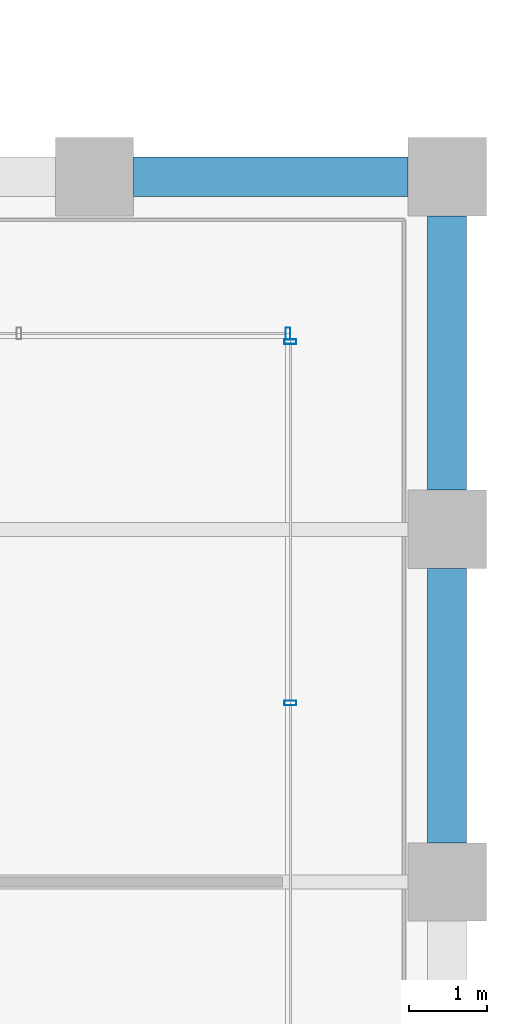
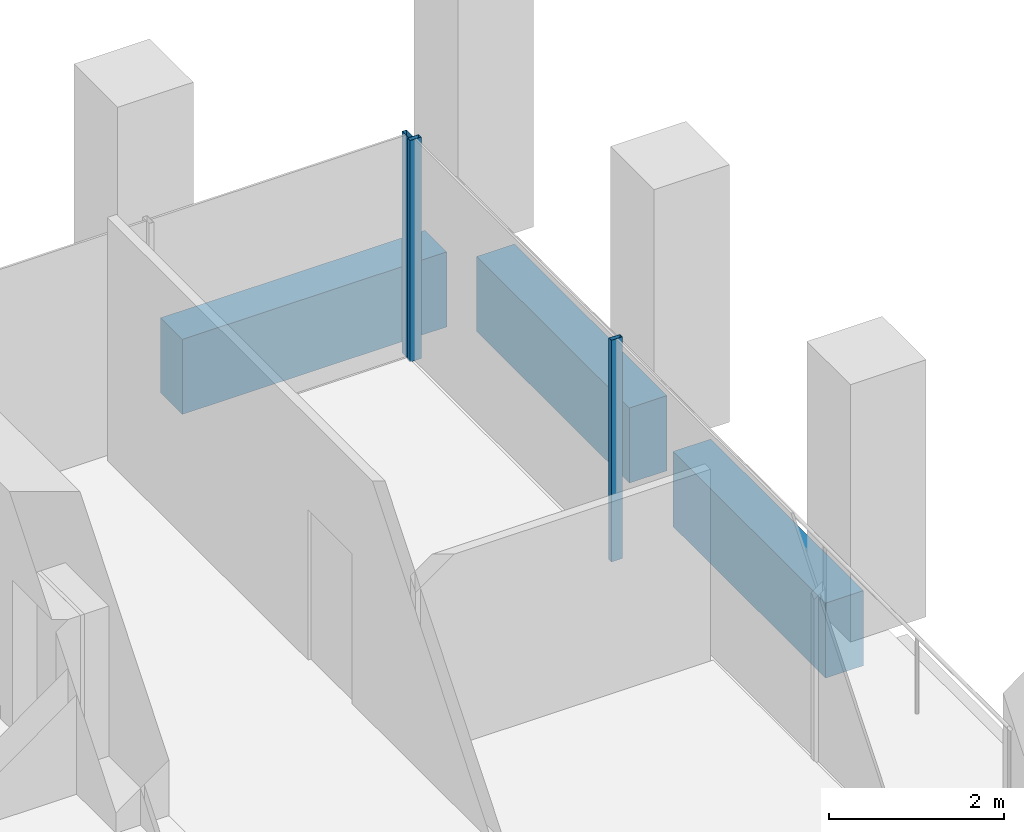
# One storey, part 38 of 46: 3 beams, 3 members, 2 elements without a shape of their own.
"""IFC4 building model written with IfcOpenShell, lengths in metres."""

from ifc_helpers import new_model, si_unit, direction, frame, origin, origin_2d, place, context, subcontext, project, spatial, rectangle, hollow_rectangle, extrude, material, material_profile, profile_set, type_object, element, aggregate, save


model = new_model("IFC4")

# Units and contexts
model_context = context("Model", 3, precision=1e-05, world=origin(), true_north=direction((0.0, 1.0)))
body_context = subcontext(model_context, "Body", "Model", "MODEL_VIEW")
ifc_project = project(units=[si_unit("LENGTHUNIT", "METRE"), si_unit("AREAUNIT", "SQUARE_METRE"), si_unit("VOLUMEUNIT", "CUBIC_METRE"), si_unit("PLANEANGLEUNIT", "RADIAN"), si_unit("MASSUNIT", "GRAM", prefix="KILO")], contexts=[model_context])

# Site, building, storey
site_placement = place(None, origin())
site = spatial("IfcSite", under=ifc_project, at=site_placement, CompositionType="ELEMENT")
building_placement = place(site_placement, origin())
building = spatial("IfcBuilding", under=site, at=building_placement, Name="Altepetl Exchange Towers", CompositionType="ELEMENT")
storey_placement = place(building_placement, frame((0.0, 0.0, 135.199951171875)))
storey = spatial("IfcBuildingStorey", under=building, at=storey_placement, Name="L33", CompositionType="ELEMENT", Elevation=135.199951171875)

# Curtain wall, members
ifc_material_1 = material(Name="Aluminium 6063-T6 glazing", Category="aluminium")
curtain_wall_type = type_object("IfcCurtainWallType", Name="Loggia glazing system", PredefinedType="NOTDEFINED", material=ifc_material_1)
curtain_wall_1_placement = place(storey_placement, origin())
curtain_wall_1 = element("IfcCurtainWall", 1, at=curtain_wall_1_placement, inside=storey, type_object=curtain_wall_type, Name="CW1 run", PredefinedType="NOTDEFINED")
ifc_material_2 = material(Name="Aluminium 6063-T6", Category="aluminium")
ifc_material_profile_1 = material_profile(ifc_material_2, hollow_rectangle(XDim=0.06005859375, YDim=0.14990234375, WallThickness=0.0029296875, at=origin_2d()), Name="Mullion 60x150 aluminium")
ifc_profile_set_1 = profile_set([ifc_material_profile_1], Name="Aluminium 6063-T6")
member_type = type_object("IfcMemberType", Name="Mullion 60x150 aluminium", PredefinedType="MULLION", material=ifc_profile_set_1)
member_1_placement = place(storey_placement, frame((124.0, 42.783447265625, 0.0), z_axis=(0.0, 0.0, 1.0), x_axis=(0.0, 1.0, 0.0)))
member_1 = element("IfcMember", 2, at=member_1_placement, type_object=member_type, Name="MU1 mullion", PredefinedType="MULLION", context=body_context, shape_type="SweptSolid", body=[
    extrude(hollow_rectangle(XDim=0.06005859375, YDim=0.14990234375, WallThickness=0.0029296875, at=origin_2d()), origin(), (0.0, 0.0, 1.0), 3.10009765625),
])
member_2_placement = place(storey_placement, frame((124.0, 47.39501953125, 0.0), z_axis=(0.0, 0.0, 1.0), x_axis=(0.0, 1.0, 0.0)))
member_2 = element("IfcMember", 3, at=member_2_placement, type_object=member_type, Name="MU1 mullion", PredefinedType="MULLION", context=body_context, shape_type="SweptSolid", body=[
    extrude(hollow_rectangle(XDim=0.06005859375, YDim=0.14990234375, WallThickness=0.0029296875, at=origin_2d()), origin(), (0.0, 0.0, 1.0), 3.10009765625),
])
aggregate(curtain_wall_1, [member_1, member_2])

# Curtain wall, member
curtain_wall_2_placement = place(storey_placement, origin())
curtain_wall_2 = element("IfcCurtainWall", 4, at=curtain_wall_2_placement, inside=storey, type_object=curtain_wall_type, Name="CW1 run", PredefinedType="NOTDEFINED")
member_3_placement = place(storey_placement, frame((123.969970703125, 47.5, 0.0), z_axis=(0.0, 0.0, 1.0), x_axis=(-1.0, 0.0, 0.0)))
member_3 = element("IfcMember", 5, at=member_3_placement, type_object=member_type, Name="MU1 mullion", PredefinedType="MULLION", context=body_context, shape_type="SweptSolid", body=[
    extrude(hollow_rectangle(XDim=0.06005859375, YDim=0.14990234375, WallThickness=0.0029296875, at=origin_2d()), origin(), (0.0, 0.0, 1.0), 3.10009765625),
])
aggregate(curtain_wall_2, [member_3])

# Beams
ifc_material_3 = material(Name="Concrete C50/60 precast with cantera amarilla facing", Category="concrete")
ifc_material_profile_2 = material_profile(ifc_material_3, rectangle(XDim=0.5, YDim=1.050048828125, at=origin_2d()), Name="500 x 1050")
ifc_profile_set_2 = profile_set([ifc_material_profile_2], Name="Concrete C50/60 precast with cantera amarilla facing")
beam_type_1 = type_object("IfcBeamType", Name="Spandrel beam 500x1050 cantera amarilla", PredefinedType="SPANDREL", material=ifc_profile_set_2)
beam_placement = place(storey_placement, frame((125.5, 49.5, -0.675048828125), z_axis=(-1.0, 0.0, 0.0), x_axis=(0.0, -1.0, 0.0)))
element("IfcBeam", 6, at=beam_placement, inside=storey, type_object=beam_type_1, Name="sp:B:L33:013", PredefinedType="SPANDREL", context=body_context, shape_type="SweptSolid", body=[
    extrude(rectangle(XDim=0.5, YDim=1.050048828125, at=origin_2d()), origin(), (0.0, 0.0, 1.0), 3.5),
])
ifc_material_4 = material(Name="Concrete C50/60 precast with cantera blanca facing", Category="concrete")
ifc_material_profile_3 = material_profile(ifc_material_4, rectangle(XDim=0.5, YDim=1.050048828125, at=origin_2d()), Name="500 x 1050")
ifc_profile_set_3 = profile_set([ifc_material_profile_3], Name="Concrete C50/60 precast with cantera blanca facing")
beam_type_2 = type_object("IfcBeamType", Name="Spandrel beam 500x1050 cantera blanca", PredefinedType="SPANDREL", material=ifc_profile_set_3)
for number, where, z_axis, x_axis, name in (
    (7, (126.0, 41.0, -0.675048828125), (0.0, 1.0, 0.0), (-1.0, 0.0, 0.0), "sp:B:L33:011"),
    (8, (126.0, 45.5, -0.675048828125), (0.0, 1.0, 0.0), (-1.0, 0.0, 0.0), "sp:B:L33:012"),
):
    element("IfcBeam", number, at=place(storey_placement, frame(where, z_axis=z_axis, x_axis=x_axis)), inside=storey, type_object=beam_type_2, Name=name, PredefinedType="SPANDREL", context=body_context, shape_type="SweptSolid", body=[
        extrude(rectangle(XDim=0.5, YDim=1.050048828125, at=origin_2d()), origin(), (0.0, 0.0, 1.0), 3.5),
    ])

save(model, "model.ifc")
